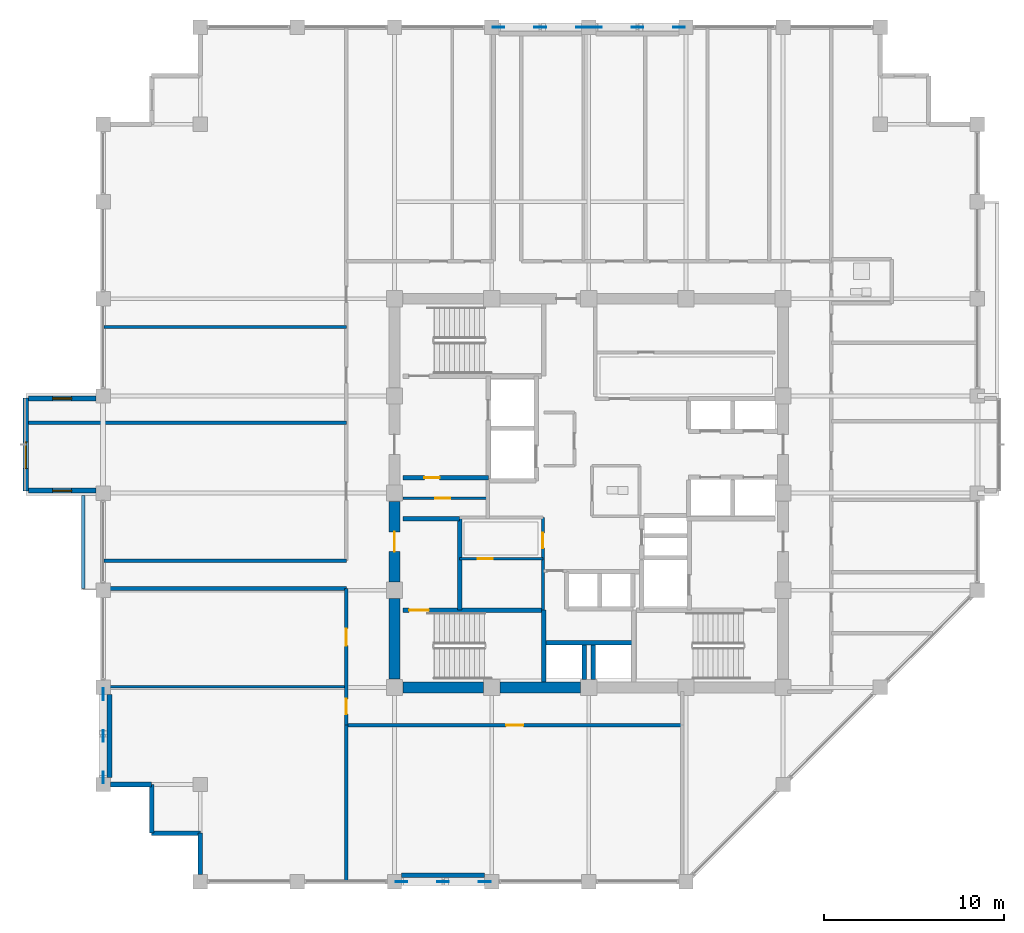
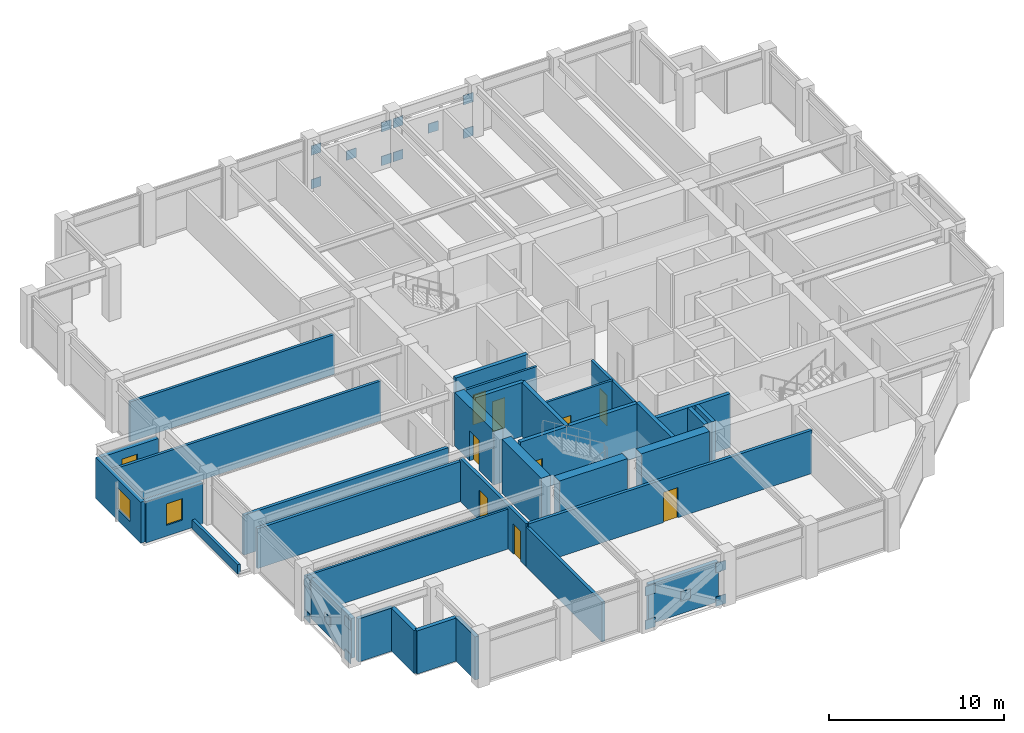
# One storey, part 22 of 28: 33 walls, 20 plates, 9 doors, 3 windows, 12 openings.
"""IFC4 building model written with IfcOpenShell, lengths in metres."""

from ifc_helpers import new_model, si_unit, direction, frame, frame_2d, origin, origin_2d, place, context, subcontext, project, spatial, rectangle, extrude, material, layer, layer_set, type_object, element, fill, save


model = new_model("IFC4")

# Units and contexts
model_context = context("Model", 3, precision=1e-05, world=origin(), true_north=direction((0.0, 1.0)))
body_context = subcontext(model_context, "Body", "Model", "MODEL_VIEW")
ifc_project = project(units=[si_unit("LENGTHUNIT", "METRE"), si_unit("AREAUNIT", "SQUARE_METRE"), si_unit("VOLUMEUNIT", "CUBIC_METRE"), si_unit("PLANEANGLEUNIT", "RADIAN"), si_unit("MASSUNIT", "GRAM", prefix="KILO")], contexts=[model_context])

# Site, building, storey
site_placement = place(None, origin())
site = spatial("IfcSite", under=ifc_project, at=site_placement, CompositionType="ELEMENT")
building_placement = place(site_placement, origin())
building = spatial("IfcBuilding", under=site, at=building_placement, Name="Surkhivell Harbour Commons", CompositionType="ELEMENT")
storey_placement = place(building_placement, frame((0.0, 0.0, 238.5)))
storey = spatial("IfcBuildingStorey", under=building, at=storey_placement, Name="L62", CompositionType="ELEMENT", Elevation=238.5)

# Plates
ifc_material_1 = material(Name="Steel S460", Category="steel")
ifc_layer_1 = layer(ifc_material_1, 0.044921875)
ifc_layer_set_1 = layer_set([ifc_layer_1], Name="Steel S460")
plate_type = type_object("IfcPlateType", Name="PLT-GUS-650", PredefinedType="USERDEFINED", material=ifc_layer_set_1)
for number, where, z_axis, x_axis, name in (
    (1, (-5.014892578125, 25.89990234375, -0.08935546875), (0.0, 0.0, 1.0), (1.0, 0.0, 0.0), "L62 Perimeter Mega-Brace MB- Corner Gusset N-1"),
    (2, (-0.385009765625, 25.89990234375, -0.08935546875), (0.0, 0.0, 1.0), (1.0, 0.0, 0.0), "L62 Perimeter Mega-Brace MB- Corner Gusset N-2"),
    (3, (-5.014892578125, 25.89990234375, 2.25146484375), (0.0, 0.0, 1.0), (1.0, 0.0, 0.0), "L62 Perimeter Mega-Brace MB- Corner Gusset N-3"),
    (4, (-0.385009765625, 25.89990234375, 2.25146484375), (0.0, 0.0, 1.0), (1.0, 0.0, 0.0), "L62 Perimeter Mega-Brace MB- Corner Gusset N-4"),
    (5, (-2.699951171875, 25.89990234375, 1.0810546875), (0.0, 0.0, 1.0), (1.0, 0.0, 0.0), "L62 Perimeter Mega-Brace MB- Central Crossing Gusset N"),
    (6, (0.385009765625, 25.89990234375, -0.08935546875), (0.0, 0.0, 1.0), (1.0, 0.0, 0.0), "L62 Perimeter Mega-Brace MB- Corner Gusset N2-1"),
    (7, (5.014892578125, 25.89990234375, -0.08935546875), (0.0, 0.0, 1.0), (1.0, 0.0, 0.0), "L62 Perimeter Mega-Brace MB- Corner Gusset N2-2"),
    (8, (0.385009765625, 25.89990234375, 2.25146484375), (0.0, 0.0, 1.0), (1.0, 0.0, 0.0), "L62 Perimeter Mega-Brace MB- Corner Gusset N2-3"),
    (9, (5.014892578125, 25.89990234375, 2.25146484375), (0.0, 0.0, 1.0), (1.0, 0.0, 0.0), "L62 Perimeter Mega-Brace MB- Corner Gusset N2-4"),
    (10, (2.699951171875, 25.89990234375, 1.0810546875), (0.0, 0.0, 1.0), (1.0, 0.0, 0.0), "L62 Perimeter Mega-Brace MB- Central Crossing Gusset N2"),
    (11, (-10.4150390625, -21.60009765625, -0.08935546875), (0.0, 0.0, 1.0), (1.0, 0.0, 0.0), "L62 Perimeter Mega-Brace MB- Corner Gusset S-1"),
    (12, (-5.784912109375, -21.60009765625, -0.08935546875), (0.0, 0.0, 1.0), (1.0, 0.0, 0.0), "L62 Perimeter Mega-Brace MB- Corner Gusset S-2"),
    (13, (-10.4150390625, -21.60009765625, 2.25146484375), (0.0, 0.0, 1.0), (1.0, 0.0, 0.0), "L62 Perimeter Mega-Brace MB- Corner Gusset S-3"),
    (14, (-5.784912109375, -21.60009765625, 2.25146484375), (0.0, 0.0, 1.0), (1.0, 0.0, 0.0), "L62 Perimeter Mega-Brace MB- Corner Gusset S-4"),
    (15, (-8.10009765625, -21.60009765625, 1.0810546875), (0.0, 0.0, 1.0), (1.0, 0.0, 0.0), "L62 Perimeter Mega-Brace MB- Central Crossing Gusset S"),
    (16, (-27.0, -15.81494140625, -0.08935546875), (0.0, 0.0, 1.0), (0.0, 1.0, 0.0), "L62 Perimeter Mega-Brace MB- Corner Gusset W-1"),
    (17, (-27.0, -11.18505859375, -0.08935546875), (0.0, 0.0, 1.0), (0.0, 1.0, 0.0), "L62 Perimeter Mega-Brace MB- Corner Gusset W-2"),
    (18, (-27.0, -15.81494140625, 2.25146484375), (0.0, 0.0, 1.0), (0.0, 1.0, 0.0), "L62 Perimeter Mega-Brace MB- Corner Gusset W-3"),
    (19, (-27.0, -11.18505859375, 2.25146484375), (0.0, 0.0, 1.0), (0.0, 1.0, 0.0), "L62 Perimeter Mega-Brace MB- Corner Gusset W-4"),
    (20, (-27.0, -13.5, 1.0810546875), (0.0, 0.0, 1.0), (0.0, 1.0, 0.0), "L62 Perimeter Mega-Brace MB- Central Crossing Gusset W"),
):
    element("IfcPlate", number, at=place(storey_placement, frame(where, z_axis=z_axis, x_axis=x_axis)), inside=storey, type_object=plate_type, Name=name, ObjectType="GUSSET_PLATE", PredefinedType="USERDEFINED", context=body_context, shape_type="SweptSolid", body=[
        extrude(rectangle(XDim=0.64990234375, YDim=0.044921875, at=origin_2d()), origin(), (0.0, 0.0, 1.0), 0.64990234375),
    ])

# Walls
ifc_material_2 = material(Name="Concrete C60/75", Category="concrete")
ifc_layer_2 = layer(ifc_material_2, 0.60009765625)
ifc_layer_set_2 = layer_set([ifc_layer_2], Name="Concrete C60/75")
wall_type_1 = type_object("IfcWallType", Name="WAL-CORE-600", PredefinedType="SHEAR", material=ifc_layer_set_2)
for number, where, z_axis, x_axis, name in (
    (21, (-10.340087890625, -10.800048828125, 0.0), (0.0, 0.0, 1.0), (1.0, 0.0, 0.0), "L62 Core Shear Wall South 1"),
    (22, (-10.800048828125, -10.340087890625, 0.0), (0.0, 0.0, 1.0), (0.0, 1.0, 0.0), "L62 Core Shear Wall West 1"),
    (23, (-4.93994140625, -10.800048828125, 0.0), (0.0, 0.0, 1.0), (1.0, 0.0, 0.0), "L62 Core Shear Wall South 2"),
):
    element("IfcWall", number, at=place(storey_placement, frame(where, z_axis=z_axis, x_axis=x_axis)), inside=storey, type_object=wall_type_1, Name=name, PredefinedType="SHEAR", context=body_context, shape_type="SweptSolid", body=[
        extrude(rectangle(XDim=4.47998046875, YDim=0.60009765625, at=frame_2d((2.239990234375, 0.0))), origin(), (0.0, 0.0, 1.0), 3.75),
    ])

# Wall, opening, door
wall_1_placement = place(storey_placement, frame((-10.800048828125, -4.93994140625, 0.0), z_axis=(0.0, 0.0, 1.0), x_axis=(0.0, 1.0, 0.0)))
wall_1 = element("IfcWall", 24, at=wall_1_placement, inside=storey, type_object=wall_type_1, Name="L62 Core Shear Wall West 2", PredefinedType="SHEAR", context=body_context, shape_type="SweptSolid", body=[
    extrude(rectangle(XDim=4.47998046875, YDim=0.60009765625, at=frame_2d((2.239990234375, 0.0))), origin(), (0.0, 0.0, 1.0), 3.75),
])
opening_1_placement = place(wall_1_placement, frame((1.68994140625, 0.0, 0.0)))
opening_1 = element("IfcOpeningElement", 25, at=opening_1_placement, cuts=wall_1, Name="Opening ID-2", PredefinedType="OPENING", context=body_context, shape_type="SweptSolid", body=[
    extrude(rectangle(XDim=1.10009765625, YDim=2.10009765625, at=frame_2d((0.550048828125, 1.050048828125))), frame((0.0, 0.31005859375, 0.0), z_axis=(0.0, -1.0, 0.0), x_axis=(1.0, 0.0, 0.0)), (0.0, 0.0, 1.0), 0.6201171875),
])
ifc_material_3 = material(Name="Hardwood-veneered fire-rated door leaf", Category="wood")
door_type_1 = type_object("IfcDoorType", Name="DOR-FD60-1100", OperationType="NOTDEFINED", PredefinedType="DOOR", material=ifc_material_3)
door_1_placement = place(opening_1_placement, origin())
door_1 = element("IfcDoor", 26, at=door_1_placement, inside=storey, type_object=door_type_1, Name="L62 Stair 3 Lobby Corridor Door", OperationType="SINGLE_SWING_LEFT", OverallHeight=2.10009765625, OverallWidth=1.10009765625, PredefinedType="DOOR", context=body_context, shape_type="SweptSolid", body=[
    extrude(rectangle(XDim=1.10009765625, YDim=2.10009765625, at=frame_2d((0.550048828125, 1.050048828125))), frame((0.0, 0.02490234375, 0.0), z_axis=(0.0, -1.0, 0.0), x_axis=(1.0, 0.0, 0.0)), (0.0, 0.0, 1.0), 0.050048828125),
])
fill(opening_1, door_1)

# Walls
ifc_material_4 = material(Name="Pale-metal insulated precast concrete C45/55", Category="concrete")
ifc_layer_3 = layer(ifc_material_4, 0.260009765625)
ifc_layer_set_3 = layer_set([ifc_layer_3], Name="Pale-metal insulated precast concrete C45/55")
wall_type_2 = type_object("IfcWallType", Name="WAL-EXT-MTL260", PredefinedType="STANDARD", material=ifc_layer_set_3)
for number, where, z_axis, x_axis, name in (
    (27, (-10.402099609375, -21.239990234375, 0.0), (0.0, 0.0, 1.0), (1.0, 0.0, 0.0), "L62 Braced-Bay Insulated Spandrel Backing S"),
    (28, (-26.639892578125, -15.802001953125, 0.0), (0.0, 0.0, 1.0), (0.0, 1.0, 0.0), "L62 Braced-Bay Insulated Spandrel Backing W"),
):
    element("IfcWall", number, at=place(storey_placement, frame(where, z_axis=z_axis, x_axis=x_axis)), inside=storey, type_object=wall_type_2, Name=name, PredefinedType="STANDARD", context=body_context, shape_type="SweptSolid", body=[
        extrude(rectangle(XDim=4.60400390625, YDim=0.260009765625, at=frame_2d((2.302001953125, 0.0))), origin(), (0.0, 0.0, 1.0), 2.780029296875),
    ])
wall_2_placement = place(storey_placement, frame((-26.60205078125, -16.199951171875, 0.0), z_axis=(0.0, 0.0, 1.0), x_axis=(1.0, 0.0, 0.0)))
element("IfcWall", 29, at=wall_2_placement, inside=storey, type_object=wall_type_2, Name="L62 Serrated Corner Facade Wall 13", PredefinedType="STANDARD", context=body_context, shape_type="SweptSolid", body=[
    extrude(rectangle(XDim=2.302001953125, YDim=0.260009765625, at=frame_2d((1.15087890625, 0.0))), origin(), (0.0, 0.0, 1.0), 3.006103515625),
])
for number, where, z_axis, x_axis, name in (
    (30, (-24.300048828125, -16.199951171875, 0.0), (0.0, 0.0, 1.0), (0.0, -1.0, 0.0), "L62 Serrated Corner Facade Wall 14"),
    (31, (-24.300048828125, -18.89990234375, 0.0), (0.0, 0.0, 1.0), (1.0, 0.0, 0.0), "L62 Serrated Corner Facade Wall 15"),
):
    element("IfcWall", number, at=place(storey_placement, frame(where, z_axis=z_axis, x_axis=x_axis)), inside=storey, type_object=wall_type_2, Name=name, PredefinedType="STANDARD", context=body_context, shape_type="SweptSolid", body=[
        extrude(rectangle(XDim=2.699951171875, YDim=0.260009765625, at=frame_2d((1.35009765625, 0.0))), origin(), (0.0, 0.0, 1.0), 3.006103515625),
    ])
wall_3_placement = place(storey_placement, frame((-21.60009765625, -18.89990234375, 0.0), z_axis=(0.0, 0.0, 1.0), x_axis=(0.0, -1.0, 0.0)))
element("IfcWall", 32, at=wall_3_placement, inside=storey, type_object=wall_type_2, Name="L62 Serrated Corner Facade Wall 16", PredefinedType="STANDARD", context=body_context, shape_type="SweptSolid", body=[
    extrude(rectangle(XDim=2.302001953125, YDim=0.260009765625, at=frame_2d((1.15087890625, 0.0))), origin(), (0.0, 0.0, 1.0), 3.006103515625),
])

# Wall, opening, window
ifc_material_5 = material(Name="Terracotta-clad reinforced concrete C45/55", Category="masonry")
ifc_layer_4 = layer(ifc_material_5, 0.280029296875)
ifc_layer_set_4 = layer_set([ifc_layer_4], Name="Terracotta-clad reinforced concrete C45/55")
wall_type_3 = type_object("IfcWallType", Name="WAL-EXT-TER280", PredefinedType="STANDARD", material=ifc_layer_set_4)
wall_4_placement = place(storey_placement, frame((-31.300048828125, 5.280029296875, 0.0), z_axis=(0.0, 0.0, 1.0), x_axis=(0.0, -1.0, 0.0)))
wall_4 = element("IfcWall", 33, at=wall_4_placement, inside=storey, type_object=wall_type_3, Name="L62 Coloured Box Front Wall 02", PredefinedType="STANDARD", context=body_context, shape_type="SweptSolid", body=[
    extrude(rectangle(XDim=5.159912109375, YDim=0.280029296875, at=frame_2d((2.580078125, 0.0))), origin(), (0.0, 0.0, 1.0), 2.85693359375),
])
opening_2_placement = place(wall_4_placement, frame((2.425048828125, 0.0, 0.75)))
opening_2 = element("IfcOpeningElement", 34, at=opening_2_placement, cuts=wall_4, Name="Opening WN-13", PredefinedType="OPENING", context=body_context, shape_type="SweptSolid", body=[
    extrude(rectangle(XDim=1.5, YDim=1.5, at=frame_2d((0.75, 0.75))), frame((0.0, 0.14990234375, 0.0), z_axis=(0.0, -1.0, 0.0), x_axis=(1.0, 0.0, 0.0)), (0.0, 0.0, 1.0), 0.300048828125),
])
ifc_material_6 = material(Name="Thermal-break aluminium frame and double low-E glazing", Category="aluminium")
window_type_1 = type_object("IfcWindowType", Name="WIN-BOX-1500x1500", PartitioningType="SINGLE_PANEL", PredefinedType="WINDOW", material=ifc_material_6)
window_1_placement = place(opening_2_placement, origin())
window_1 = element("IfcWindow", 35, at=window_1_placement, inside=storey, type_object=window_type_1, Name="L62 Coloured Box Square Window 02-1", OverallHeight=1.5, OverallWidth=1.5, PartitioningType="SINGLE_PANEL", PredefinedType="WINDOW", context=body_context, shape_type="SweptSolid", body=[
    extrude(rectangle(XDim=1.5, YDim=1.5, at=frame_2d((0.75, 0.75))), frame((0.0, 0.030029296875, 0.0), z_axis=(0.0, -1.0, 0.0), x_axis=(1.0, 0.0, 0.0)), (0.0, 0.0, 1.0), 0.06005859375),
])
fill(opening_2, window_1)

wall_5_placement = place(storey_placement, frame((-31.159912109375, 0.139892578125, 0.0), z_axis=(0.0, 0.0, 1.0), x_axis=(1.0, 0.0, 0.0)))
wall_5 = element("IfcWall", 36, at=wall_5_placement, inside=storey, type_object=wall_type_3, Name="L62 Coloured Box Return Wall 02S", PredefinedType="STANDARD", context=body_context, shape_type="SweptSolid", body=[
    extrude(rectangle(XDim=3.755859375, YDim=0.280029296875, at=frame_2d((1.8779296875, 0.0))), origin(), (0.0, 0.0, 1.0), 2.85693359375),
])
opening_3_placement = place(wall_5_placement, frame((1.35302734375, 0.0, 0.75)))
opening_3 = element("IfcOpeningElement", 37, at=opening_3_placement, cuts=wall_5, Name="Opening WN-11", PredefinedType="OPENING", context=body_context, shape_type="SweptSolid", body=[
    extrude(rectangle(XDim=1.050048828125, YDim=1.5, at=frame_2d((0.52490234375, 0.75))), frame((0.0, 0.14990234375, 0.0), z_axis=(0.0, -1.0, 0.0), x_axis=(1.0, 0.0, 0.0)), (0.0, 0.0, 1.0), 0.300048828125),
])
window_type_2 = type_object("IfcWindowType", Name="WIN-SER-1050x1500", PartitioningType="SINGLE_PANEL", PredefinedType="WINDOW", material=ifc_material_6)
window_2_placement = place(opening_3_placement, origin())
window_2 = element("IfcWindow", 38, at=window_2_placement, inside=storey, type_object=window_type_2, Name="L62 Coloured Box Return Window 02S", OverallHeight=1.5, OverallWidth=1.050048828125, PartitioningType="SINGLE_PANEL", PredefinedType="WINDOW", context=body_context, shape_type="SweptSolid", body=[
    extrude(rectangle(XDim=1.050048828125, YDim=1.5, at=frame_2d((0.52490234375, 0.75))), frame((0.0, 0.030029296875, 0.0), z_axis=(0.0, -1.0, 0.0), x_axis=(1.0, 0.0, 0.0)), (0.0, 0.0, 1.0), 0.06005859375),
])
fill(opening_3, window_2)

wall_6_placement = place(storey_placement, frame((-31.159912109375, 5.260009765625, 0.0), z_axis=(0.0, 0.0, 1.0), x_axis=(1.0, 0.0, 0.0)))
wall_6 = element("IfcWall", 39, at=wall_6_placement, inside=storey, type_object=wall_type_3, Name="L62 Coloured Box Return Wall 02N", PredefinedType="STANDARD", context=body_context, shape_type="SweptSolid", body=[
    extrude(rectangle(XDim=3.755859375, YDim=0.280029296875, at=frame_2d((1.8779296875, 0.0))), origin(), (0.0, 0.0, 1.0), 2.85693359375),
])
opening_4_placement = place(wall_6_placement, frame((1.35302734375, 0.0, 0.75)))
opening_4 = element("IfcOpeningElement", 40, at=opening_4_placement, cuts=wall_6, Name="Opening WN-11", PredefinedType="OPENING", context=body_context, shape_type="SweptSolid", body=[
    extrude(rectangle(XDim=1.050048828125, YDim=1.5, at=frame_2d((0.52490234375, 0.75))), frame((0.0, 0.14990234375, 0.0), z_axis=(0.0, -1.0, 0.0), x_axis=(1.0, 0.0, 0.0)), (0.0, 0.0, 1.0), 0.300048828125),
])
window_3_placement = place(opening_4_placement, origin())
window_3 = element("IfcWindow", 41, at=window_3_placement, inside=storey, type_object=window_type_2, Name="L62 Coloured Box Return Window 02N", OverallHeight=1.5, OverallWidth=1.050048828125, PartitioningType="SINGLE_PANEL", PredefinedType="WINDOW", context=body_context, shape_type="SweptSolid", body=[
    extrude(rectangle(XDim=1.050048828125, YDim=1.5, at=frame_2d((0.52490234375, 0.75))), frame((0.0, 0.030029296875, 0.0), z_axis=(0.0, -1.0, 0.0), x_axis=(1.0, 0.0, 0.0)), (0.0, 0.0, 1.0), 0.06005859375),
])
fill(opening_4, window_3)

# Wall, opening, door
ifc_material_7 = material(Name="Twin-stud acoustic fireboard partition", Category="other")
ifc_layer_5 = layer(ifc_material_7, 0.14990234375)
ifc_layer_set_5 = layer_set([ifc_layer_5], Name="Twin-stud acoustic fireboard partition")
wall_type_4 = type_object("IfcWallType", Name="WAL-INT-150", PredefinedType="PARTITIONING", material=ifc_layer_set_5)
wall_7_placement = place(storey_placement, frame((-7.179931640625, -3.64990234375, 0.0), z_axis=(0.0, 0.0, 1.0), x_axis=(1.0, 0.0, 0.0)))
wall_7 = element("IfcWall", 42, at=wall_7_placement, inside=storey, type_object=wall_type_4, Name="L62 Core Cut C1 Partition", PredefinedType="PARTITIONING", context=body_context, shape_type="SweptSolid", body=[
    extrude(rectangle(XDim=4.6298828125, YDim=0.14990234375, at=frame_2d((2.31494140625, 0.0))), origin(), (0.0, 0.0, 1.0), 3.570068359375),
])
opening_5_placement = place(wall_7_placement, frame((1.0, 0.0, 0.0)))
opening_5 = element("IfcOpeningElement", 43, at=opening_5_placement, cuts=wall_7, Name="Opening ID-6", PredefinedType="OPENING", context=body_context, shape_type="SweptSolid", body=[
    extrude(rectangle(XDim=0.85009765625, YDim=2.10009765625, at=frame_2d((0.425048828125, 1.050048828125))), frame((0.0, 0.0849609375, 0.0), z_axis=(0.0, -1.0, 0.0), x_axis=(1.0, 0.0, 0.0)), (0.0, 0.0, 1.0), 0.169921875),
])
door_type_2 = type_object("IfcDoorType", Name="DOR-FD30-850", OperationType="NOTDEFINED", PredefinedType="DOOR", material=ifc_material_3)
door_2_placement = place(opening_5_placement, origin())
door_2 = element("IfcDoor", 44, at=door_2_placement, inside=storey, type_object=door_type_2, Name="L62 Cleaner Room Door", OperationType="SINGLE_SWING_LEFT", OverallHeight=2.10009765625, OverallWidth=0.85009765625, PredefinedType="DOOR", context=body_context, shape_type="SweptSolid", body=[
    extrude(rectangle(XDim=0.85009765625, YDim=2.10009765625, at=frame_2d((0.425048828125, 1.050048828125))), frame((0.0, 0.02490234375, 0.0), z_axis=(0.0, -1.0, 0.0), x_axis=(1.0, 0.0, 0.0)), (0.0, 0.0, 1.0), 0.050048828125),
])
fill(opening_5, door_2)

wall_8_placement = place(storey_placement, frame((-10.340087890625, -0.2900390625, 0.0), z_axis=(0.0, 0.0, 1.0), x_axis=(1.0, 0.0, 0.0)))
wall_8 = element("IfcWall", 45, at=wall_8_placement, inside=storey, type_object=wall_type_4, Name="L62 West Core Horizontal Cut", PredefinedType="PARTITIONING", context=body_context, shape_type="SweptSolid", body=[
    extrude(rectangle(XDim=4.719970703125, YDim=0.14990234375, at=frame_2d((2.35986328125, 0.0))), origin(), (0.0, 0.0, 1.0), 3.570068359375),
])
opening_6_placement = place(wall_8_placement, frame((1.800048828125, 0.0, 0.0)))
opening_6 = element("IfcOpeningElement", 46, at=opening_6_placement, cuts=wall_8, Name="Opening ID-6", PredefinedType="OPENING", context=body_context, shape_type="SweptSolid", body=[
    extrude(rectangle(XDim=0.85009765625, YDim=2.10009765625, at=frame_2d((0.425048828125, 1.050048828125))), frame((0.0, 0.0849609375, 0.0), z_axis=(0.0, -1.0, 0.0), x_axis=(1.0, 0.0, 0.0)), (0.0, 0.0, 1.0), 0.169921875),
])
door_3_placement = place(opening_6_placement, origin())
door_3 = element("IfcDoor", 47, at=door_3_placement, inside=storey, type_object=door_type_2, Name="L62 West Music Pod Door", OperationType="SINGLE_SWING_RIGHT", OverallHeight=2.10009765625, OverallWidth=0.85009765625, PredefinedType="DOOR", context=body_context, shape_type="SweptSolid", body=[
    extrude(rectangle(XDim=0.85009765625, YDim=2.10009765625, at=frame_2d((0.425048828125, 1.050048828125))), frame((0.0, 0.02490234375, 0.0), z_axis=(0.0, -1.0, 0.0), x_axis=(1.0, 0.0, 0.0)), (0.0, 0.0, 1.0), 0.050048828125),
])
fill(opening_6, door_3)

# Wall
wall_9_placement = place(storey_placement, frame((-26.93994140625, -10.77001953125, 0.0), z_axis=(0.0, 0.0, 1.0), x_axis=(1.0, 0.0, 0.0)))
element("IfcWall", 48, at=wall_9_placement, inside=storey, type_object=wall_type_4, Name="L62 South-West Partition P1", PredefinedType="PARTITIONING", context=body_context, shape_type="SweptSolid", body=[
    extrude(rectangle(XDim=13.4599609375, YDim=0.14990234375, at=frame_2d((6.72998046875, 0.0))), origin(), (0.0, 0.0, 1.0), 2.780029296875),
])

# Wall, opening, door
ifc_material_8 = material(Name="High-density acoustic blockwork fire partition", Category="masonry")
ifc_layer_6 = layer(ifc_material_8, 0.175048828125)
ifc_layer_set_6 = layer_set([ifc_layer_6], Name="High-density acoustic blockwork fire partition")
wall_type_5 = type_object("IfcWallType", Name="WAL-INT-175", PredefinedType="PARTITIONING", material=ifc_layer_set_6)
wall_10_placement = place(storey_placement, frame((-2.550048828125, -6.510009765625, 0.0), z_axis=(0.0, 0.0, 1.0), x_axis=(0.0, 1.0, 0.0)))
wall_10 = element("IfcWall", 49, at=wall_10_placement, inside=storey, type_object=wall_type_5, Name="L62 Core Service Bay East Wall", PredefinedType="PARTITIONING", context=body_context, shape_type="SweptSolid", body=[
    extrude(rectangle(XDim=5.159912109375, YDim=0.175048828125, at=frame_2d((2.580078125, 0.0))), origin(), (0.0, 0.0, 1.0), 3.570068359375),
])
opening_7_placement = place(wall_10_placement, frame((3.449951171875, 0.0, 0.0)))
opening_7 = element("IfcOpeningElement", 50, at=opening_7_placement, cuts=wall_10, Name="Opening ID-6", PredefinedType="OPENING", context=body_context, shape_type="SweptSolid", body=[
    extrude(rectangle(XDim=0.85009765625, YDim=2.10009765625, at=frame_2d((0.425048828125, 1.050048828125))), frame((0.0, 0.097412109375, 0.0), z_axis=(0.0, -1.0, 0.0), x_axis=(1.0, 0.0, 0.0)), (0.0, 0.0, 1.0), 0.195068359375),
])
door_4_placement = place(opening_7_placement, origin())
door_4 = element("IfcDoor", 51, at=door_4_placement, inside=storey, type_object=door_type_2, Name="L62 Core Seminar Door", OperationType="SINGLE_SWING_LEFT", OverallHeight=2.10009765625, OverallWidth=0.85009765625, PredefinedType="DOOR", context=body_context, shape_type="SweptSolid", body=[
    extrude(rectangle(XDim=0.85009765625, YDim=2.10009765625, at=frame_2d((0.425048828125, 1.050048828125))), frame((0.0, 0.02490234375, 0.0), z_axis=(0.0, -1.0, 0.0), x_axis=(1.0, 0.0, 0.0)), (0.0, 0.0, 1.0), 0.050048828125),
])
fill(opening_7, door_4)

# Walls
wall_11_placement = place(storey_placement, frame((-31.239990234375, 3.909912109375, 0.0), z_axis=(0.0, 0.0, 1.0), x_axis=(1.0, 0.0, 0.0)))
element("IfcWall", 52, at=wall_11_placement, inside=storey, type_object=wall_type_5, Name="L62 North-West Partition P1", PredefinedType="PARTITIONING", context=body_context, shape_type="SweptSolid", body=[
    extrude(rectangle(XDim=17.760009765625, YDim=0.175048828125, at=frame_2d((8.8798828125, 0.0))), origin(), (0.0, 0.0, 1.0), 2.780029296875),
])
wall_12_placement = place(storey_placement, frame((-26.93994140625, 9.239990234375, 0.0), z_axis=(0.0, 0.0, 1.0), x_axis=(1.0, 0.0, 0.0)))
element("IfcWall", 53, at=wall_12_placement, inside=storey, type_object=wall_type_5, Name="L62 North-West Partition P2", PredefinedType="PARTITIONING", context=body_context, shape_type="SweptSolid", body=[
    extrude(rectangle(XDim=13.4599609375, YDim=0.175048828125, at=frame_2d((6.72998046875, 0.0))), origin(), (0.0, 0.0, 1.0), 2.780029296875),
])
ifc_material_9 = material(Name="Autoclaved aerated concrete blockwork and fire plaster", Category="masonry")
ifc_layer_7 = layer(ifc_material_9, 0.199951171875)
ifc_layer_set_7 = layer_set([ifc_layer_7], Name="Autoclaved aerated concrete blockwork and fire plaster")
wall_type_6 = type_object("IfcWallType", Name="WAL-INT-200", PredefinedType="PARTITIONING", material=ifc_layer_set_7)
wall_13_placement = place(storey_placement, frame((-13.47998046875, -21.5400390625, 0.0), z_axis=(0.0, 0.0, 1.0), x_axis=(0.0, 1.0, 0.0)))
element("IfcWall", 54, at=wall_13_placement, inside=storey, type_object=wall_type_6, Name="L62 South-West Corner Wall", PredefinedType="PARTITIONING", context=body_context, shape_type="SweptSolid", body=[
    extrude(rectangle(XDim=8.64013671875, YDim=0.199951171875, at=frame_2d((4.320068359375, 0.0))), origin(), (0.0, 0.0, 1.0), 2.780029296875),
])

# Wall, opening, door
wall_14_placement = place(storey_placement, frame((-13.47998046875, -12.89990234375, 0.0), z_axis=(0.0, 0.0, 1.0), x_axis=(1.0, 0.0, 0.0)))
wall_14 = element("IfcWall", 55, at=wall_14_placement, inside=storey, type_object=wall_type_6, Name="L62 Corridor South Wall", PredefinedType="PARTITIONING", context=body_context, shape_type="SweptSolid", body=[
    extrude(rectangle(XDim=18.679931640625, YDim=0.199951171875, at=frame_2d((9.33984375, 0.0))), origin(), (0.0, 0.0, 1.0), 3.006103515625),
])
opening_8_placement = place(wall_14_placement, frame((8.889892578125, 0.0, 0.0)))
opening_8 = element("IfcOpeningElement", 56, at=opening_8_placement, cuts=wall_14, Name="Opening ID-4", PredefinedType="OPENING", context=body_context, shape_type="SweptSolid", body=[
    extrude(rectangle(XDim=0.949951171875, YDim=2.10009765625, at=frame_2d((0.47509765625, 1.050048828125))), frame((0.0, 0.10986328125, 0.0), z_axis=(0.0, -1.0, 0.0), x_axis=(1.0, 0.0, 0.0)), (0.0, 0.0, 1.0), 0.219970703125),
])
door_type_3 = type_object("IfcDoorType", Name="DOR-FD60-950", OperationType="NOTDEFINED", PredefinedType="DOOR", material=ifc_material_3)
door_5_placement = place(opening_8_placement, origin())
door_5 = element("IfcDoor", 57, at=door_5_placement, inside=storey, type_object=door_type_3, Name="L62 Open Academic Study Commons Reading Library South Door", OperationType="SINGLE_SWING_LEFT", OverallHeight=2.10009765625, OverallWidth=0.949951171875, PredefinedType="DOOR", context=body_context, shape_type="SweptSolid", body=[
    extrude(rectangle(XDim=0.949951171875, YDim=2.10009765625, at=frame_2d((0.47509765625, 1.050048828125))), frame((0.0, 0.02490234375, 0.0), z_axis=(0.0, -1.0, 0.0), x_axis=(1.0, 0.0, 0.0)), (0.0, 0.0, 1.0), 0.050048828125),
])
fill(opening_8, door_5)

# Walls
for number, where, z_axis, x_axis, name in (
    (58, (-26.93994140625, -3.75, 0.0), (0.0, 0.0, 1.0), (1.0, 0.0, 0.0), "L62 West Spur North Wall"),
    (59, (-26.93994140625, -5.300048828125, 0.0), (0.0, 0.0, 1.0), (1.0, 0.0, 0.0), "L62 West Spur South Wall"),
):
    element("IfcWall", number, at=place(storey_placement, frame(where, z_axis=z_axis, x_axis=x_axis)), inside=storey, type_object=wall_type_6, Name=name, PredefinedType="PARTITIONING", context=body_context, shape_type="SweptSolid", body=[
        extrude(rectangle(XDim=13.4599609375, YDim=0.199951171875, at=frame_2d((6.72998046875, 0.0))), origin(), (0.0, 0.0, 1.0), 2.780029296875),
    ])

# Wall, openings, doors
wall_15_placement = place(storey_placement, frame((-13.47998046875, -12.89990234375, 0.0), z_axis=(0.0, 0.0, 1.0), x_axis=(0.0, 1.0, 0.0)))
wall_15 = element("IfcWall", 60, at=wall_15_placement, inside=storey, type_object=wall_type_6, Name="L62 Corridor West-Lower Wall", PredefinedType="PARTITIONING", context=body_context, shape_type="SweptSolid", body=[
    extrude(rectangle(XDim=7.599853515625, YDim=0.199951171875, at=frame_2d((3.7998046875, 0.0))), origin(), (0.0, 0.0, 1.0), 3.006103515625),
])
opening_9_placement = place(wall_15_placement, frame((0.614990234375, 0.0, 0.0)))
opening_9 = element("IfcOpeningElement", 61, at=opening_9_placement, cuts=wall_15, Name="Opening ID-6", PredefinedType="OPENING", context=body_context, shape_type="SweptSolid", body=[
    extrude(rectangle(XDim=0.85009765625, YDim=2.10009765625, at=frame_2d((0.425048828125, 1.050048828125))), frame((0.0, 0.10986328125, 0.0), z_axis=(0.0, -1.0, 0.0), x_axis=(1.0, 0.0, 0.0)), (0.0, 0.0, 1.0), 0.219970703125),
])
opening_10_placement = place(wall_15_placement, frame((4.4150390625, 0.0, 0.0)))
opening_10 = element("IfcOpeningElement", 62, at=opening_10_placement, cuts=wall_15, Name="Opening ID-4", PredefinedType="OPENING", context=body_context, shape_type="SweptSolid", body=[
    extrude(rectangle(XDim=0.949951171875, YDim=2.10009765625, at=frame_2d((0.47509765625, 1.050048828125))), frame((0.0, 0.10986328125, 0.0), z_axis=(0.0, -1.0, 0.0), x_axis=(1.0, 0.0, 0.0)), (0.0, 0.0, 1.0), 0.219970703125),
])
door_6_placement = place(opening_9_placement, origin())
door_6 = element("IfcDoor", 63, at=door_6_placement, inside=storey, type_object=door_type_2, Name="L62 Shared Communal Kitchen A South-West Door", OperationType="SINGLE_SWING_LEFT", OverallHeight=2.10009765625, OverallWidth=0.85009765625, PredefinedType="DOOR", context=body_context, shape_type="SweptSolid", body=[
    extrude(rectangle(XDim=0.85009765625, YDim=2.10009765625, at=frame_2d((0.425048828125, 1.050048828125))), frame((0.0, 0.02490234375, 0.0), z_axis=(0.0, -1.0, 0.0), x_axis=(1.0, 0.0, 0.0)), (0.0, 0.0, 1.0), 0.050048828125),
])
fill(opening_9, door_6)
door_7_placement = place(opening_10_placement, origin())
door_7 = element("IfcDoor", 64, at=door_7_placement, inside=storey, type_object=door_type_3, Name="L62 Shared Communal Kitchen B South-West Door", OperationType="SINGLE_SWING_RIGHT", OverallHeight=2.10009765625, OverallWidth=0.949951171875, PredefinedType="DOOR", context=body_context, shape_type="SweptSolid", body=[
    extrude(rectangle(XDim=0.949951171875, YDim=2.10009765625, at=frame_2d((0.47509765625, 1.050048828125))), frame((0.0, 0.02490234375, 0.0), z_axis=(0.0, -1.0, 0.0), x_axis=(1.0, 0.0, 0.0)), (0.0, 0.0, 1.0), 0.050048828125),
])
fill(opening_10, door_7)

# Wall
ifc_material_10 = material(Name="Anodised aluminium and precast concrete C40/50", Category="concrete")
ifc_layer_8 = layer(ifc_material_10, 0.18505859375)
ifc_layer_set_8 = layer_set([ifc_layer_8], Name="Anodised aluminium and precast concrete C40/50")
wall_type_7 = type_object("IfcWallType", Name="WAL-PAR-185", PredefinedType="PARAPET", material=ifc_layer_set_8)
wall_16_placement = place(storey_placement, frame((-28.10009765625, -0.1201171875, 0.0), z_axis=(0.0, 0.0, 1.0), x_axis=(0.0, -1.0, 0.0)))
element("IfcWall", 65, at=wall_16_placement, inside=storey, type_object=wall_type_7, Name="L62 Box Roof Coping Parapet 2-1", PredefinedType="PARAPET", context=body_context, shape_type="SweptSolid", body=[
    extrude(rectangle(XDim=5.179931640625, YDim=0.18505859375, at=frame_2d((2.58984375, 0.0))), origin(), (0.0, 0.0, 1.0), 0.64990234375),
])

# Wall, opening, door
ifc_material_11 = material(Name="Concrete C50/60", Category="concrete")
ifc_layer_9 = layer(ifc_material_11, 0.25)
ifc_layer_set_9 = layer_set([ifc_layer_9], Name="Concrete C50/60")
wall_type_8 = type_object("IfcWallType", Name="WAL-SHAFT-250", PredefinedType="SHEAR", material=ifc_layer_set_9)
wall_17_placement = place(storey_placement, frame((-10.340087890625, 0.85009765625, 0.0), z_axis=(0.0, 0.0, 1.0), x_axis=(1.0, 0.0, 0.0)))
wall_17 = element("IfcWall", 66, at=wall_17_placement, inside=storey, type_object=wall_type_8, Name="L62 Firefighting Lobby 1 South Wall", PredefinedType="SHEAR", context=body_context, shape_type="SweptSolid", body=[
    extrude(rectangle(XDim=4.760009765625, YDim=0.25, at=frame_2d((2.3798828125, 0.0))), origin(), (0.0, 0.0, 1.0), 3.75),
])
opening_11_placement = place(wall_17_placement, frame((1.199951171875, 0.0, 0.0)))
opening_11 = element("IfcOpeningElement", 67, at=opening_11_placement, cuts=wall_17, Name="Opening ID-6", PredefinedType="OPENING", context=body_context, shape_type="SweptSolid", body=[
    extrude(rectangle(XDim=0.85009765625, YDim=2.10009765625, at=frame_2d((0.425048828125, 1.050048828125))), frame((0.0, 0.135009765625, 0.0), z_axis=(0.0, -1.0, 0.0), x_axis=(1.0, 0.0, 0.0)), (0.0, 0.0, 1.0), 0.27001953125),
])
door_8_placement = place(opening_11_placement, origin())
door_8 = element("IfcDoor", 68, at=door_8_placement, inside=storey, type_object=door_type_2, Name="L62 West Reading Alcove Door", OperationType="SINGLE_SWING_LEFT", OverallHeight=2.10009765625, OverallWidth=0.85009765625, PredefinedType="DOOR", context=body_context, shape_type="SweptSolid", body=[
    extrude(rectangle(XDim=0.85009765625, YDim=2.10009765625, at=frame_2d((0.425048828125, 1.050048828125))), frame((0.0, 0.02490234375, 0.0), z_axis=(0.0, -1.0, 0.0), x_axis=(1.0, 0.0, 0.0)), (0.0, 0.0, 1.0), 0.050048828125),
])
fill(opening_11, door_8)

# Walls
for number, where, z_axis, x_axis, name in (
    (69, (-0.25, -10.35009765625, 0.0), (0.0, 0.0, 1.0), (0.0, 1.0, 0.0), "L62 High-Rise Side Wall S"),
    (70, (0.25, -10.35009765625, 0.0), (0.0, 0.0, 1.0), (0.0, 1.0, 0.0), "L62 High-Rise Side Wall S"),
):
    element("IfcWall", number, at=place(storey_placement, frame(where, z_axis=z_axis, x_axis=x_axis)), inside=storey, type_object=wall_type_8, Name=name, PredefinedType="SHEAR", context=body_context, shape_type="SweptSolid", body=[
        extrude(rectangle(XDim=1.91015625, YDim=0.25, at=frame_2d((0.955078125, 0.0))), origin(), (0.0, 0.0, 1.0), 3.75),
    ])
wall_18_placement = place(storey_placement, frame((-2.47998046875, -8.320068359375, 0.0), z_axis=(0.0, 0.0, 1.0), x_axis=(1.0, 0.0, 0.0)))
element("IfcWall", 71, at=wall_18_placement, inside=storey, type_object=wall_type_8, Name="L62 High-Rise South Front Shaft Wall", PredefinedType="SHEAR", context=body_context, shape_type="SweptSolid", body=[
    extrude(rectangle(XDim=4.929931640625, YDim=0.25, at=frame_2d((2.46484375, 0.0))), origin(), (0.0, 0.0, 1.0), 3.75),
])
wall_19_placement = place(storey_placement, frame((-2.510009765625, -10.5, 0.0), z_axis=(0.0, 0.0, 1.0), x_axis=(0.0, 1.0, 0.0)))
element("IfcWall", 72, at=wall_19_placement, inside=storey, type_object=wall_type_8, Name="L62 Stair ST3 East Shear Wall", PredefinedType="SHEAR", context=body_context, shape_type="SweptSolid", body=[
    extrude(rectangle(XDim=3.989990234375, YDim=0.25, at=frame_2d((1.9951171875, 0.0))), origin(), (0.0, 0.0, 1.0), 3.75),
])
wall_20_placement = place(storey_placement, frame((-7.179931640625, -6.510009765625, 0.0), z_axis=(0.0, 0.0, 1.0), x_axis=(0.0, 1.0, 0.0)))
element("IfcWall", 73, at=wall_20_placement, inside=storey, type_object=wall_type_8, Name="L62 Stair 3 Lobby East Wall", PredefinedType="SHEAR", context=body_context, shape_type="SweptSolid", body=[
    extrude(rectangle(XDim=5.090087890625, YDim=0.25, at=frame_2d((2.544921875, 0.0))), origin(), (0.0, 0.0, 1.0), 3.75),
])
wall_21_placement = place(storey_placement, frame((-10.340087890625, -1.419921875, 0.0), z_axis=(0.0, 0.0, 1.0), x_axis=(1.0, 0.0, 0.0)))
element("IfcWall", 74, at=wall_21_placement, inside=storey, type_object=wall_type_8, Name="L62 Stair 3 Lobby North Wall", PredefinedType="SHEAR", context=body_context, shape_type="SweptSolid", body=[
    extrude(rectangle(XDim=3.16015625, YDim=0.25, at=frame_2d((1.580078125, 0.0))), origin(), (0.0, 0.0, 1.0), 3.75),
])

# Wall, opening, door
wall_22_placement = place(storey_placement, frame((-10.340087890625, -6.510009765625, 0.0), z_axis=(0.0, 0.0, 1.0), x_axis=(1.0, 0.0, 0.0)))
wall_22 = element("IfcWall", 75, at=wall_22_placement, inside=storey, type_object=wall_type_8, Name="L62 Stair ST3 North Shear Wall", PredefinedType="SHEAR", context=body_context, shape_type="SweptSolid", body=[
    extrude(rectangle(XDim=7.7001953125, YDim=0.25, at=frame_2d((3.85009765625, 0.0))), origin(), (0.0, 0.0, 1.0), 3.75),
])
opening_12_placement = place(wall_22_placement, frame((0.35009765625, 0.0, 0.0)))
opening_12 = element("IfcOpeningElement", 76, at=opening_12_placement, cuts=wall_22, Name="Opening ID-2", PredefinedType="OPENING", context=body_context, shape_type="SweptSolid", body=[
    extrude(rectangle(XDim=1.10009765625, YDim=2.10009765625, at=frame_2d((0.550048828125, 1.050048828125))), frame((0.0, 0.135009765625, 0.0), z_axis=(0.0, -1.0, 0.0), x_axis=(1.0, 0.0, 0.0)), (0.0, 0.0, 1.0), 0.27001953125),
])
door_9_placement = place(opening_12_placement, origin())
door_9 = element("IfcDoor", 77, at=door_9_placement, inside=storey, type_object=door_type_1, Name="L62 Stair ST3 Exit Door", OperationType="SINGLE_SWING_RIGHT", OverallHeight=2.10009765625, OverallWidth=1.10009765625, PredefinedType="DOOR", context=body_context, shape_type="SweptSolid", body=[
    extrude(rectangle(XDim=1.10009765625, YDim=2.10009765625, at=frame_2d((0.550048828125, 1.050048828125))), frame((0.0, 0.02490234375, 0.0), z_axis=(0.0, -1.0, 0.0), x_axis=(1.0, 0.0, 0.0)), (0.0, 0.0, 1.0), 0.050048828125),
])
fill(opening_12, door_9)

save(model, "model.ifc")
